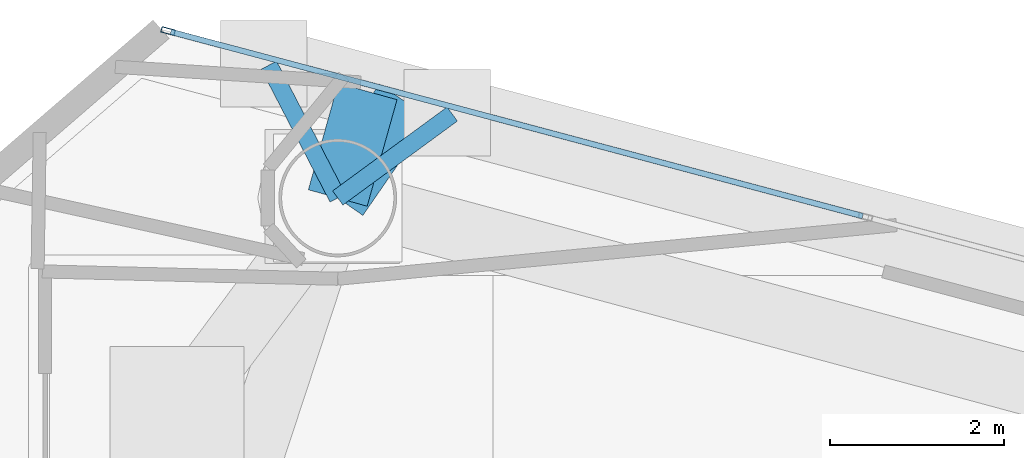
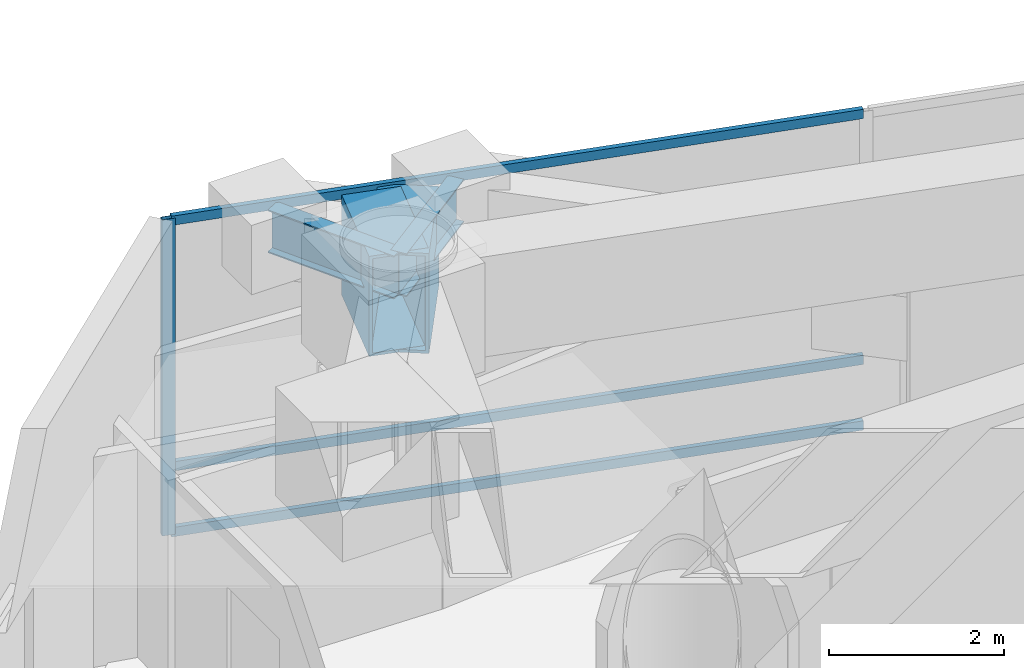
# One storey, part 15 of 22: 4 beams, 4 members, 1 element without a shape of its own.
"""IFC4 building model written with IfcOpenShell, lengths in metres."""

from ifc_helpers import new_model, si_unit, direction, frame, origin, origin_2d, place, context, subcontext, project, spatial, hollow_rectangle, i_section, extrude, material, layer, layer_set, material_profile, profile_set, type_object, element, aggregate, save


model = new_model("IFC4")

# Units and contexts
model_context = context("Model", 3, precision=1e-05, world=origin(), true_north=direction((0.0, 1.0)))
body_context = subcontext(model_context, "Body", "Model", "MODEL_VIEW")
ifc_project = project(units=[si_unit("LENGTHUNIT", "METRE"), si_unit("AREAUNIT", "SQUARE_METRE"), si_unit("VOLUMEUNIT", "CUBIC_METRE"), si_unit("PLANEANGLEUNIT", "RADIAN"), si_unit("MASSUNIT", "GRAM", prefix="KILO")], contexts=[model_context])

# Site, building, storey
site_placement = place(None, origin())
site = spatial("IfcSite", under=ifc_project, at=site_placement, CompositionType="ELEMENT")
building_placement = place(site_placement, origin())
building = spatial("IfcBuilding", under=site, at=building_placement, Name="Qianvela Tower", CompositionType="ELEMENT")
storey_placement = place(building_placement, frame((0.0, 0.0, 184.60009765625)))
storey = spatial("IfcBuildingStorey", under=building, at=storey_placement, Name="L47", CompositionType="ELEMENT", Elevation=184.60009765625)

# Beams
ifc_material_1 = material(Name="Steel Q355B", Category="steel")
ifc_material_profile_1 = material_profile(ifc_material_1, i_section(OverallWidth=0.199951171875, OverallDepth=0.60009765625, WebThickness=0.010986328125, FlangeThickness=0.01708984375, at=origin_2d()), Name="HN600x200x11x17")
ifc_profile_set_1 = profile_set([ifc_material_profile_1], Name="Steel Q355B")
beam_type_1 = type_object("IfcBeamType", Name="BM-HN600-GIRD", PredefinedType="BEAM", material=ifc_profile_set_1)
beam_1_placement = place(storey_placement, frame((28.235107421875, 39.410888671875, 4.117919921875), z_axis=(0.806433608821, 0.591324643968, 0.0), x_axis=(-0.591324643968, 0.806433608821, 0.0)))
element("IfcBeam", 1, at=beam_1_placement, inside=storey, type_object=beam_type_1, Name="L47 Mega-Brace Column Tie Bracket F1-1", PredefinedType="BEAM", context=body_context, shape_type="SweptSolid", body=[
    extrude(i_section(OverallWidth=0.199951171875, OverallDepth=0.60009765625, WebThickness=0.010986328125, FlangeThickness=0.01708984375, at=origin_2d()), origin(), (0.0, 0.0, 1.0), 1.62744140625),
])
beam_2_placement = place(storey_placement, frame((28.235107421875, 39.410888671875, 4.117919921875), z_axis=(-0.460433521377, 0.887694188554, 0.0), x_axis=(-0.887694188554, -0.460433521377, 0.0)))
element("IfcBeam", 2, at=beam_2_placement, inside=storey, type_object=beam_type_1, Name="L47 Mega-Brace Column Tie Bracket F1-2", PredefinedType="BEAM", context=body_context, shape_type="SweptSolid", body=[
    extrude(i_section(OverallWidth=0.199951171875, OverallDepth=0.60009765625, WebThickness=0.010986328125, FlangeThickness=0.01708984375, at=origin_2d()), origin(), (0.0, 0.0, 1.0), 1.71484375),
])
ifc_material_2 = material(Name="Steel Q420GJC", Category="steel")
ifc_material_profile_2 = material_profile(ifc_material_2, hollow_rectangle(XDim=0.699951171875, YDim=1.39990234375, WallThickness=0.0400390625, at=origin_2d()), Name="TG-BOX-1400x700x40")
ifc_profile_set_2 = profile_set([ifc_material_profile_2], Name="Steel Q420GJC")
beam_type_2 = type_object("IfcBeamType", Name="BM-TG-STEP-1400", PredefinedType="BEAM", material=ifc_profile_set_2)
beam_3_placement = place(storey_placement, frame((28.235107421875, 39.410888671875, 3.71484375), z_axis=(0.569332464157, 0.822107380612, 0.0), x_axis=(-0.822107380612, 0.569332464157, 0.0)))
element("IfcBeam", 3, at=beam_3_placement, inside=storey, type_object=beam_type_2, Name="L47 Mega-Brace Zone Base Bracket F1-1", PredefinedType="BEAM", context=body_context, shape_type="SweptSolid", body=[
    extrude(hollow_rectangle(XDim=0.699951171875, YDim=1.39990234375, WallThickness=0.0400390625, at=origin_2d()), origin(), (0.0, 0.0, 1.0), 1.347412109375),
])
beam_4_placement = place(storey_placement, frame((28.235107421875, 39.410888671875, 3.71484375), z_axis=(0.269808502857, 0.962914000203, 0.0), x_axis=(-0.962914000203, 0.269808502857, 0.0)))
element("IfcBeam", 4, at=beam_4_placement, inside=storey, type_object=beam_type_2, Name="L47 Mega-Brace Zone Base Bracket F1-2", PredefinedType="BEAM", context=body_context, shape_type="SweptSolid", body=[
    extrude(hollow_rectangle(XDim=0.699951171875, YDim=1.39990234375, WallThickness=0.0400390625, at=origin_2d()), origin(), (0.0, 0.0, 1.0), 1.267822265625),
])

# Curtain wall, members
ifc_material_3 = material(Name="Anodised Architectural Aluminium and Insulated Spandrel Panel", Category="aluminium")
ifc_layer = layer(ifc_material_3, 0.179931640625)
ifc_layer_set = layer_set([ifc_layer], Name="Anodised Architectural Aluminium and Insulated Spandrel Panel")
curtain_wall_type = type_object("IfcCurtainWallType", Name="CW-BRACEBAY", PredefinedType="USERDEFINED", material=ifc_layer_set)
curtain_wall_placement = place(storey_placement, origin())
curtain_wall = element("IfcCurtainWall", 5, at=curtain_wall_placement, inside=storey, type_object=curtain_wall_type, Name="L47 CW-BRACEBAY Curtain Wall 02B", ObjectType="CURTAIN_WALL_SYSTEM", PredefinedType="USERDEFINED")
ifc_material_4 = material(Name="Anodised Architectural Aluminium 6063-T6", Category="aluminium")
ifc_material_profile_3 = material_profile(ifc_material_4, hollow_rectangle(XDim=0.06494140625, YDim=0.159912109375, WallThickness=0.0048828125, at=origin_2d()), Name="ALU-MULL-65x160")
ifc_profile_set_3 = profile_set([ifc_material_profile_3], Name="Anodised Architectural Aluminium 6063-T6")
member_type_1 = type_object("IfcMemberType", Name="CW-BRACEBAY-MULL", PredefinedType="MULLION", material=ifc_profile_set_3)
member_1_placement = place(storey_placement, frame((26.289794921875, 41.32373046875, 0.0), z_axis=(0.0, 0.0, 1.0), x_axis=(-0.257350857335, -0.966318030582, 0.0)))
member_1 = element("IfcMember", 6, at=member_1_placement, type_object=member_type_1, Name="CW-9 mullion 3", PredefinedType="MULLION", context=body_context, shape_type="SweptSolid", body=[
    extrude(hollow_rectangle(XDim=0.06494140625, YDim=0.159912109375, WallThickness=0.0048828125, at=origin_2d()), origin(), (0.0, 0.0, 1.0), 4.419921875),
])
ifc_material_5 = material(Name="Anodised Architectural Aluminium 6063-T6", Category="aluminium")
ifc_material_profile_4 = material_profile(ifc_material_5, hollow_rectangle(XDim=0.06494140625, YDim=0.1298828125, WallThickness=0.00439453125, at=origin_2d()), Name="ALU-TRAN-65x130")
ifc_profile_set_4 = profile_set([ifc_material_profile_4], Name="Anodised Architectural Aluminium 6063-T6")
member_type_2 = type_object("IfcMemberType", Name="CW-BRACEBAY-TRAN", PredefinedType="USERDEFINED", material=ifc_profile_set_4)
member_2_placement = place(storey_placement, frame((34.251708984375, 39.203125, 0.032470703125), z_axis=(-0.966319316452, 0.257346029018, 0.0), x_axis=(-0.257346029018, -0.966319316452, 0.0)))
member_2 = element("IfcMember", 7, at=member_2_placement, type_object=member_type_2, Name="CW-9 transom 2.1", ObjectType="TRANSOM", PredefinedType="USERDEFINED", context=body_context, shape_type="SweptSolid", body=[
    extrude(hollow_rectangle(XDim=0.06494140625, YDim=0.1298828125, WallThickness=0.00439453125, at=origin_2d()), origin(), (0.0, 0.0, 1.0), 8.20703125),
])
member_3_placement = place(storey_placement, frame((34.251708984375, 39.203125, 0.949951171875), z_axis=(-0.966319316452, 0.257346029018, 0.0), x_axis=(-0.257346029018, -0.966319316452, 0.0)))
member_3 = element("IfcMember", 8, at=member_3_placement, type_object=member_type_2, Name="CW-9 transom 2.2", ObjectType="TRANSOM", PredefinedType="USERDEFINED", context=body_context, shape_type="SweptSolid", body=[
    extrude(hollow_rectangle(XDim=0.06494140625, YDim=0.1298828125, WallThickness=0.00439453125, at=origin_2d()), origin(), (0.0, 0.0, 1.0), 8.20703125),
])
member_4_placement = place(storey_placement, frame((34.251708984375, 39.203125, 4.387451171875), z_axis=(-0.966319316452, 0.257346029018, 0.0), x_axis=(-0.257346029018, -0.966319316452, 0.0)))
member_4 = element("IfcMember", 9, at=member_4_placement, type_object=member_type_2, Name="CW-9 transom 2.3", ObjectType="TRANSOM", PredefinedType="USERDEFINED", context=body_context, shape_type="SweptSolid", body=[
    extrude(hollow_rectangle(XDim=0.06494140625, YDim=0.1298828125, WallThickness=0.00439453125, at=origin_2d()), origin(), (0.0, 0.0, 1.0), 8.20703125),
])
aggregate(curtain_wall, [member_1, member_2, member_3, member_4])

save(model, "model.ifc")
